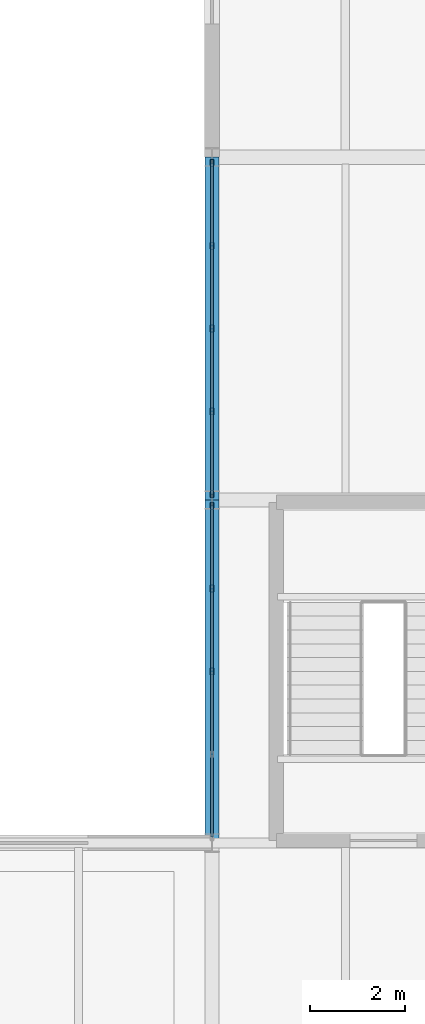
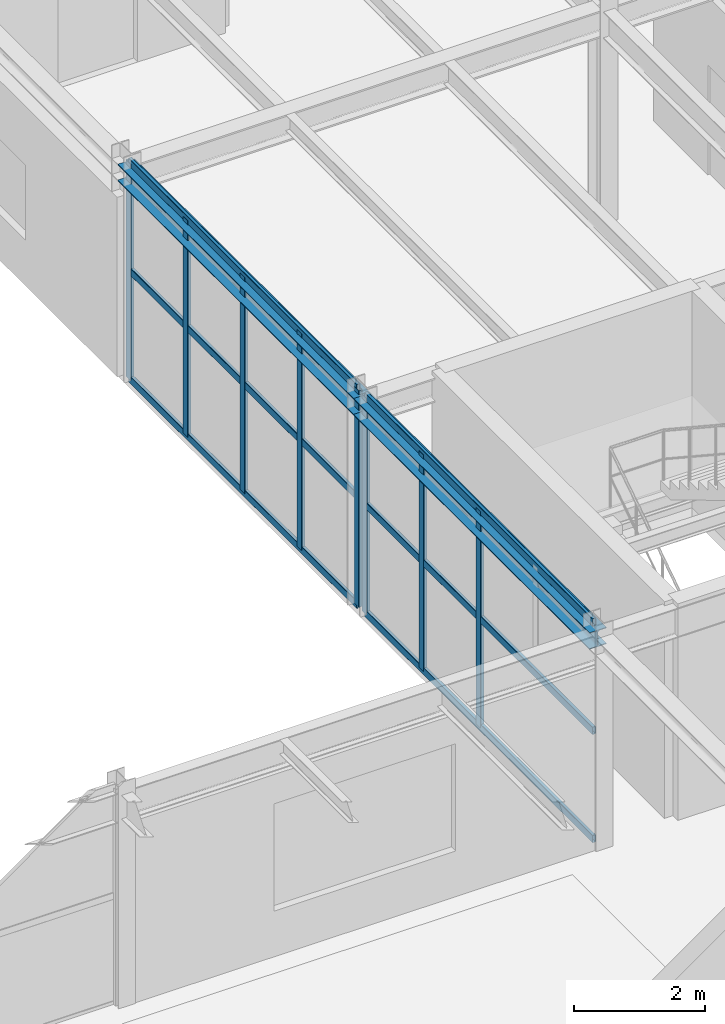
# One storey, part 76 of 134: 14 members, 2 beams, 2 elements without a shape of their own.
"""IFC4 building model written with IfcOpenShell, lengths in metres."""

from ifc_helpers import new_model, si_unit, derived_unit, direction, frame, origin, origin_2d, place, context, subcontext, project, spatial, hollow_rectangle, i_section, extrude, material, material_profile, profile_set, type_object, element, aggregate, save


model = new_model("IFC4")

# Units and contexts
model_context = context("Model", 3, precision=1e-05, world=origin(), true_north=direction((0.0, 1.0)))
body_context = subcontext(model_context, "Body", "Model", "MODEL_VIEW")
ifc_project = project(units=[si_unit("LENGTHUNIT", "METRE"), si_unit("AREAUNIT", "SQUARE_METRE"), si_unit("VOLUMEUNIT", "CUBIC_METRE"), si_unit("PLANEANGLEUNIT", "RADIAN"), si_unit("MASSUNIT", "GRAM", prefix="KILO"), derived_unit("THERMALTRANSMITTANCEUNIT", [(si_unit("MASSUNIT", "GRAM", prefix="KILO"), 1), (si_unit("TIMEUNIT", "SECOND"), -3), (si_unit("THERMODYNAMICTEMPERATUREUNIT", "KELVIN"), -1)])], contexts=[model_context])

# Site, building, storey
site_placement = place(None, origin())
site = spatial("IfcSite", under=ifc_project, at=site_placement, CompositionType="ELEMENT")
building_placement = place(site_placement, origin())
building = spatial("IfcBuilding", under=site, at=building_placement, Name="Kharveza Railside Sports Centre", CompositionType="ELEMENT")
storey_placement = place(building_placement, frame((0.0, 0.0, 12.89990234375)))
storey = spatial("IfcBuildingStorey", under=building, at=storey_placement, Name="L03", CompositionType="ELEMENT", Elevation=12.89990234375)

# Beams
ifc_material_1 = material(Name="Steel S355J2", Category="steel")
ifc_material_profile_1 = material_profile(ifc_material_1, i_section(OverallWidth=0.300048828125, OverallDepth=0.31005859375, WebThickness=0.009033203125, FlangeThickness=0.015380859375, FilletRadius=0.027099609375, at=origin_2d()), Name="HEA 320")
ifc_profile_set_1 = profile_set([ifc_material_profile_1], Name="Steel S355J2")
beam_type = type_object("IfcBeamType", Name="BM-S06", PredefinedType="BEAM", material=ifc_profile_set_1)
for number, where, z_axis, x_axis, name in (
    (1, (142.800048828125, 36.0, 3.80517578125), (0.0, 1.0, 0.0), (-1.0, 0.0, 0.0), "BM-NS-L03-B14-X1428-Y360"),
    (2, (142.800048828125, 43.199951171875, 3.80517578125), (0.0, 1.0, 0.0), (-1.0, 0.0, 0.0), "BM-NS-L03-B14-X1428-Y432"),
):
    element("IfcBeam", number, at=place(storey_placement, frame(where, z_axis=z_axis, x_axis=x_axis)), inside=storey, type_object=beam_type, Name=name, PredefinedType="BEAM", context=body_context, shape_type="SweptSolid", body=[
        extrude(i_section(OverallWidth=0.300048828125, OverallDepth=0.31005859375, WebThickness=0.009033203125, FlangeThickness=0.015380859375, FilletRadius=0.027099609375, at=origin_2d()), origin(), (0.0, 0.0, 1.0), 7.199951171875),
    ])

# Curtain wall, members
ifc_material_2 = material(Name="Low-E solar-control laminated glass", Category="glass")
curtain_wall_type = type_object("IfcCurtainWallType", Name="CW-WG02", PredefinedType="NOTDEFINED", material=ifc_material_2)
curtain_wall_1_placement = place(storey_placement, origin())
curtain_wall_1 = element("IfcCurtainWall", 3, at=curtain_wall_1_placement, inside=storey, type_object=curtain_wall_type, Name="CW-WG-L03-CW-WG02-X1428-Y468", PredefinedType="NOTDEFINED")
ifc_material_3 = material(Name="Anodised aluminium 6063-T6", Category="aluminium")
ifc_material_profile_2 = material_profile(ifc_material_3, hollow_rectangle(XDim=0.06494140625, YDim=0.14990234375, WallThickness=0.0048828125, InnerFilletRadius=0.0048828125, OuterFilletRadius=0.010009765625, at=origin_2d()), Name="RHS 65x150x5.0")
ifc_profile_set_2 = profile_set([ifc_material_profile_2], Name="Anodised aluminium 6063-T6")
member_type_1 = type_object("IfcMemberType", Name="CW-ML04", PredefinedType="MULLION", material=ifc_profile_set_2)
member_1_placement = place(storey_placement, frame((142.800048828125, 50.280029296875, 0.0), z_axis=(0.0, 0.0, 1.0), x_axis=(1.0, 0.0, 0.0)))
member_1 = element("IfcMember", 4, at=member_1_placement, type_object=member_type_1, Name="CW-WG-L03-CW-WG02-X1428-Y468-ML1", PredefinedType="MULLION", context=body_context, shape_type="SweptSolid", body=[
    extrude(hollow_rectangle(XDim=0.06494140625, YDim=0.14990234375, WallThickness=0.0048828125, InnerFilletRadius=0.0048828125, OuterFilletRadius=0.010009765625, at=origin_2d()), origin(), (0.0, 0.0, 1.0), 4.03515625),
])
member_2_placement = place(storey_placement, frame((142.800048828125, 48.5400390625, 0.0), z_axis=(0.0, 0.0, 1.0), x_axis=(1.0, 0.0, 0.0)))
member_2 = element("IfcMember", 5, at=member_2_placement, type_object=member_type_1, Name="CW-WG-L03-CW-WG02-X1428-Y468-ML2", PredefinedType="MULLION", context=body_context, shape_type="SweptSolid", body=[
    extrude(hollow_rectangle(XDim=0.06494140625, YDim=0.14990234375, WallThickness=0.0048828125, InnerFilletRadius=0.0048828125, OuterFilletRadius=0.010009765625, at=origin_2d()), origin(), (0.0, 0.0, 1.0), 4.03515625),
])
member_3_placement = place(storey_placement, frame((142.800048828125, 46.800048828125, 0.0), z_axis=(0.0, 0.0, 1.0), x_axis=(1.0, 0.0, 0.0)))
member_3 = element("IfcMember", 6, at=member_3_placement, type_object=member_type_1, Name="CW-WG-L03-CW-WG02-X1428-Y468-ML3", PredefinedType="MULLION", context=body_context, shape_type="SweptSolid", body=[
    extrude(hollow_rectangle(XDim=0.06494140625, YDim=0.14990234375, WallThickness=0.0048828125, InnerFilletRadius=0.0048828125, OuterFilletRadius=0.010009765625, at=origin_2d()), origin(), (0.0, 0.0, 1.0), 4.03515625),
])
member_4_placement = place(storey_placement, frame((142.800048828125, 45.06005859375, 0.0), z_axis=(0.0, 0.0, 1.0), x_axis=(1.0, 0.0, 0.0)))
member_4 = element("IfcMember", 7, at=member_4_placement, type_object=member_type_1, Name="CW-WG-L03-CW-WG02-X1428-Y468-ML4", PredefinedType="MULLION", context=body_context, shape_type="SweptSolid", body=[
    extrude(hollow_rectangle(XDim=0.06494140625, YDim=0.14990234375, WallThickness=0.0048828125, InnerFilletRadius=0.0048828125, OuterFilletRadius=0.010009765625, at=origin_2d()), origin(), (0.0, 0.0, 1.0), 4.03515625),
])
member_5_placement = place(storey_placement, frame((142.800048828125, 43.320068359375, 0.0), z_axis=(0.0, 0.0, 1.0), x_axis=(1.0, 0.0, 0.0)))
member_5 = element("IfcMember", 8, at=member_5_placement, type_object=member_type_1, Name="CW-WG-L03-CW-WG02-X1428-Y468-ML5", PredefinedType="MULLION", context=body_context, shape_type="SweptSolid", body=[
    extrude(hollow_rectangle(XDim=0.06494140625, YDim=0.14990234375, WallThickness=0.0048828125, InnerFilletRadius=0.0048828125, OuterFilletRadius=0.010009765625, at=origin_2d()), origin(), (0.0, 0.0, 1.0), 4.03515625),
])

curtain_wall_2_placement = place(storey_placement, origin())
curtain_wall_2 = element("IfcCurtainWall", 9, at=curtain_wall_2_placement, inside=storey, type_object=curtain_wall_type, Name="CW-WG-L03-CW-WG02-X1428-Y396", PredefinedType="NOTDEFINED")
member_6_placement = place(storey_placement, frame((142.800048828125, 43.080078125, 0.0), z_axis=(0.0, 0.0, 1.0), x_axis=(1.0, 0.0, 0.0)))
member_6 = element("IfcMember", 10, at=member_6_placement, type_object=member_type_1, Name="CW-WG-L03-CW-WG02-X1428-Y396-ML1", PredefinedType="MULLION", context=body_context, shape_type="SweptSolid", body=[
    extrude(hollow_rectangle(XDim=0.06494140625, YDim=0.14990234375, WallThickness=0.0048828125, InnerFilletRadius=0.0048828125, OuterFilletRadius=0.010009765625, at=origin_2d()), origin(), (0.0, 0.0, 1.0), 4.03515625),
])
member_7_placement = place(storey_placement, frame((142.800048828125, 41.340087890625, 0.0), z_axis=(0.0, 0.0, 1.0), x_axis=(1.0, 0.0, 0.0)))
member_7 = element("IfcMember", 11, at=member_7_placement, type_object=member_type_1, Name="CW-WG-L03-CW-WG02-X1428-Y396-ML2", PredefinedType="MULLION", context=body_context, shape_type="SweptSolid", body=[
    extrude(hollow_rectangle(XDim=0.06494140625, YDim=0.14990234375, WallThickness=0.0048828125, InnerFilletRadius=0.0048828125, OuterFilletRadius=0.010009765625, at=origin_2d()), origin(), (0.0, 0.0, 1.0), 4.03515625),
])
member_8_placement = place(storey_placement, frame((142.800048828125, 39.60009765625, 0.0), z_axis=(0.0, 0.0, 1.0), x_axis=(1.0, 0.0, 0.0)))
member_8 = element("IfcMember", 12, at=member_8_placement, type_object=member_type_1, Name="CW-WG-L03-CW-WG02-X1428-Y396-ML3", PredefinedType="MULLION", context=body_context, shape_type="SweptSolid", body=[
    extrude(hollow_rectangle(XDim=0.06494140625, YDim=0.14990234375, WallThickness=0.0048828125, InnerFilletRadius=0.0048828125, OuterFilletRadius=0.010009765625, at=origin_2d()), origin(), (0.0, 0.0, 1.0), 4.03515625),
])

# Member
ifc_material_profile_3 = material_profile(ifc_material_3, hollow_rectangle(XDim=0.06005859375, YDim=0.139892578125, WallThickness=0.0048828125, InnerFilletRadius=0.0048828125, OuterFilletRadius=0.010009765625, at=origin_2d()), Name="RHS 60x140x5.0")
ifc_profile_set_3 = profile_set([ifc_material_profile_3], Name="Anodised aluminium 6063-T6")
member_type_2 = type_object("IfcMemberType", Name="CW-TR04", PredefinedType="USERDEFINED", material=ifc_profile_set_3)
member_9_placement = place(storey_placement, frame((142.800048828125, 50.280029296875, 0.0), z_axis=(0.0, -1.0, 0.0), x_axis=(1.0, 0.0, 0.0)))
member_9 = element("IfcMember", 13, at=member_9_placement, type_object=member_type_2, Name="CW-WG-L03-CW-WG02-X1428-Y468-TR1", ObjectType="TRANSOM", PredefinedType="USERDEFINED", context=body_context, shape_type="SweptSolid", body=[
    extrude(hollow_rectangle(XDim=0.06005859375, YDim=0.139892578125, WallThickness=0.0048828125, InnerFilletRadius=0.0048828125, OuterFilletRadius=0.010009765625, at=origin_2d()), origin(), (0.0, 0.0, 1.0), 6.9599609375),
])

member_10_placement = place(storey_placement, frame((142.800048828125, 50.280029296875, 2.017578125), z_axis=(0.0, -1.0, 0.0), x_axis=(1.0, 0.0, 0.0)))
member_10 = element("IfcMember", 14, at=member_10_placement, type_object=member_type_2, Name="CW-WG-L03-CW-WG02-X1428-Y468-TR2", ObjectType="TRANSOM", PredefinedType="USERDEFINED", context=body_context, shape_type="SweptSolid", body=[
    extrude(hollow_rectangle(XDim=0.06005859375, YDim=0.139892578125, WallThickness=0.0048828125, InnerFilletRadius=0.0048828125, OuterFilletRadius=0.010009765625, at=origin_2d()), origin(), (0.0, 0.0, 1.0), 6.9599609375),
])

member_11_placement = place(storey_placement, frame((142.800048828125, 50.280029296875, 4.03515625), z_axis=(0.0, -1.0, 0.0), x_axis=(1.0, 0.0, 0.0)))
member_11 = element("IfcMember", 15, at=member_11_placement, type_object=member_type_2, Name="CW-WG-L03-CW-WG02-X1428-Y468-TR3", ObjectType="TRANSOM", PredefinedType="USERDEFINED", context=body_context, shape_type="SweptSolid", body=[
    extrude(hollow_rectangle(XDim=0.06005859375, YDim=0.139892578125, WallThickness=0.0048828125, InnerFilletRadius=0.0048828125, OuterFilletRadius=0.010009765625, at=origin_2d()), origin(), (0.0, 0.0, 1.0), 6.9599609375),
])

aggregate(curtain_wall_1, [member_1, member_2, member_3, member_4, member_5, member_9, member_10, member_11])

member_12_placement = place(storey_placement, frame((142.800048828125, 43.080078125, 0.0), z_axis=(0.0, -1.0, 0.0), x_axis=(1.0, 0.0, 0.0)))
member_12 = element("IfcMember", 16, at=member_12_placement, type_object=member_type_2, Name="CW-WG-L03-CW-WG02-X1428-Y396-TR1", ObjectType="TRANSOM", PredefinedType="USERDEFINED", context=body_context, shape_type="SweptSolid", body=[
    extrude(hollow_rectangle(XDim=0.06005859375, YDim=0.139892578125, WallThickness=0.0048828125, InnerFilletRadius=0.0048828125, OuterFilletRadius=0.010009765625, at=origin_2d()), origin(), (0.0, 0.0, 1.0), 6.9599609375),
])

member_13_placement = place(storey_placement, frame((142.800048828125, 43.080078125, 2.017578125), z_axis=(0.0, -1.0, 0.0), x_axis=(1.0, 0.0, 0.0)))
member_13 = element("IfcMember", 17, at=member_13_placement, type_object=member_type_2, Name="CW-WG-L03-CW-WG02-X1428-Y396-TR2", ObjectType="TRANSOM", PredefinedType="USERDEFINED", context=body_context, shape_type="SweptSolid", body=[
    extrude(hollow_rectangle(XDim=0.06005859375, YDim=0.139892578125, WallThickness=0.0048828125, InnerFilletRadius=0.0048828125, OuterFilletRadius=0.010009765625, at=origin_2d()), origin(), (0.0, 0.0, 1.0), 6.9599609375),
])

member_14_placement = place(storey_placement, frame((142.800048828125, 43.080078125, 4.03515625), z_axis=(0.0, -1.0, 0.0), x_axis=(1.0, 0.0, 0.0)))
member_14 = element("IfcMember", 18, at=member_14_placement, type_object=member_type_2, Name="CW-WG-L03-CW-WG02-X1428-Y396-TR3", ObjectType="TRANSOM", PredefinedType="USERDEFINED", context=body_context, shape_type="SweptSolid", body=[
    extrude(hollow_rectangle(XDim=0.06005859375, YDim=0.139892578125, WallThickness=0.0048828125, InnerFilletRadius=0.0048828125, OuterFilletRadius=0.010009765625, at=origin_2d()), origin(), (0.0, 0.0, 1.0), 6.9599609375),
])

aggregate(curtain_wall_2, [member_6, member_7, member_8, member_12, member_13, member_14])

save(model, "model.ifc")
